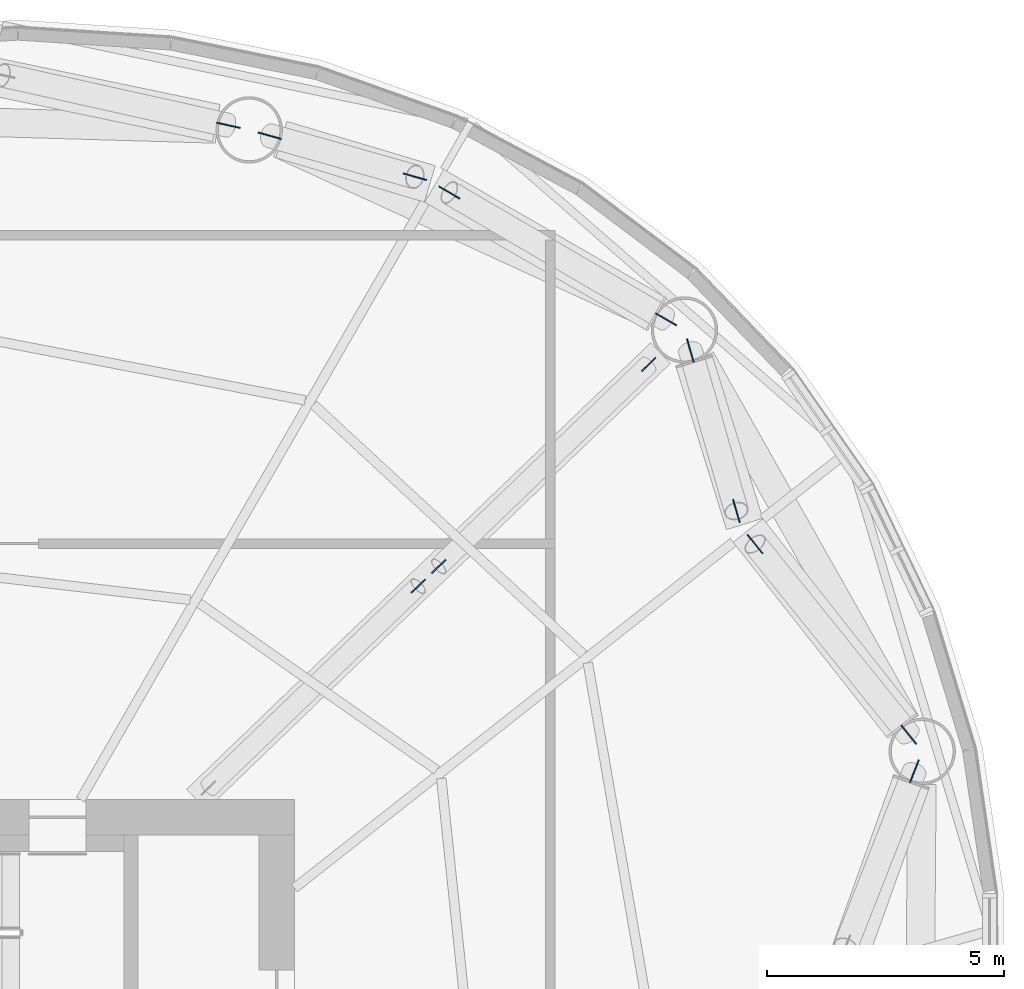
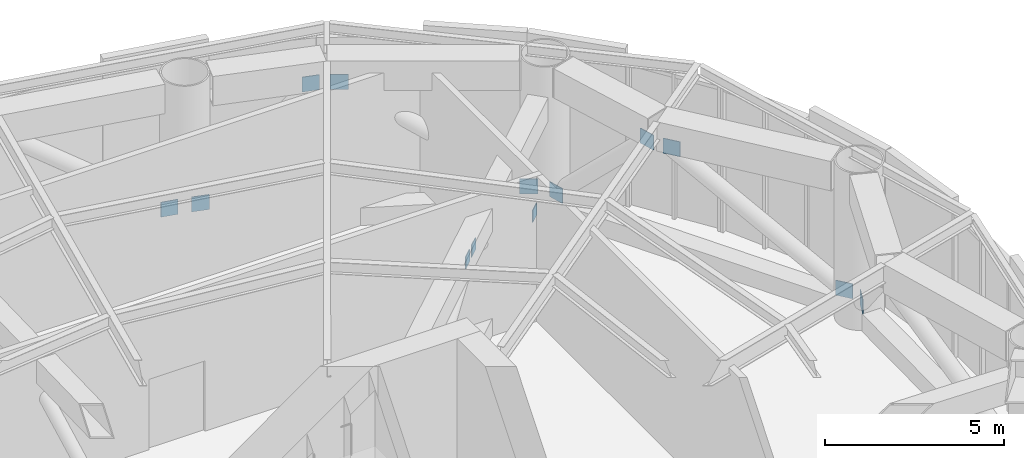
# One storey, part 15 of 19: 13 discrete accessories.
"""IFC4 building model written with IfcOpenShell, lengths in metres."""

from ifc_helpers import new_model, si_unit, direction, frame, origin, origin_2d, place, context, subcontext, project, spatial, rectangle, extrude, element, save


model = new_model("IFC4")

# Units and contexts
model_context = context("Model", 3, precision=1e-05, world=origin(), true_north=direction((0.0, 1.0)))
body_context = subcontext(model_context, "Body", "Model", "MODEL_VIEW")
ifc_project = project(units=[si_unit("LENGTHUNIT", "METRE"), si_unit("AREAUNIT", "SQUARE_METRE"), si_unit("VOLUMEUNIT", "CUBIC_METRE"), si_unit("PLANEANGLEUNIT", "RADIAN"), si_unit("MASSUNIT", "GRAM", prefix="KILO")], contexts=[model_context])

# Site, building, storey
site_placement = place(None, origin())
site = spatial("IfcSite", under=ifc_project, at=site_placement, CompositionType="ELEMENT")
building_placement = place(site_placement, origin())
building = spatial("IfcBuilding", under=site, at=building_placement, Name="Vermilion Reach Broadcast Tower", CompositionType="ELEMENT")
storey_placement = place(building_placement, frame((0.0, 0.0, 190.199951171875)))
storey = spatial("IfcBuildingStorey", under=building, at=storey_placement, Name="L46", CompositionType="ELEMENT", Elevation=190.199951171875)

# Discrete accessories
for number, where, z_axis, x_axis, name in (
    (1, (12.637451171875, 18.52978515625, 0.5458984375), (0.0, 0.0, 1.0), (-0.504849257901, -0.86320752244, 0.0), "Gusset plate BT3-D01A foot"),
    (2, (8.06689453125, 21.202880859375, 4.0859375), (0.0, 0.0, 1.0), (-0.504849257901, -0.86320752244, 0.0), "Gusset plate BT3-D01A head"),
    (3, (4.2783203125, 22.40185546875, 0.5458984375), (0.0, 0.0, 1.0), (0.271773120049, 0.962361351686, 0.0), "Gusset plate BT3-D01B foot"),
    (4, (7.340087890625, 21.537109375, 4.0859375), (0.0, 0.0, 1.0), (0.271773120049, 0.962361351686, 0.0), "Gusset plate BT3-D01B head"),
    (5, (3.406005859375, 22.621826171875, 0.5458984375), (0.0, 0.0, 1.0), (-0.217054528288, -0.976159480695, 0.0), "Gusset plate BT3-D02A foot"),
    (6, (17.876220703125, 8.99755859375, 0.5458984375), (0.0, 0.0, 1.0), (0.930994277997, -0.365033771501, 0.0), "Gusset plate BT3-D15B foot"),
    (7, (17.758056640625, 9.766845703125, 0.5458984375), (0.0, 0.0, 1.0), (-0.778441820178, -0.627716761444, 0.0), "Gusset plate BT3-D16A foot"),
    (8, (14.5146484375, 13.788818359375, 4.0859375), (0.0, 0.0, 1.0), (-0.778441820178, -0.627716761444, 0.0), "Gusset plate BT3-D16A head"),
    (9, (13.150146484375, 17.8701171875, 0.5458984375), (0.0, 0.0, 1.0), (0.961187067676, 0.275897482648, 0.0), "Gusset plate BT3-D16B foot"),
    (10, (14.12158203125, 14.485595703125, 4.0859375), (0.0, 0.0, 1.0), (0.961187067676, 0.275897482648, 0.0), "Gusset plate BT3-D16B head"),
):
    element("IfcDiscreteAccessory", number, at=place(storey_placement, frame(where, z_axis=z_axis, x_axis=x_axis)), inside=storey, Name=name, PredefinedType="NOTDEFINED", context=body_context, shape_type="SweptSolid", body=[
        extrude(rectangle(XDim=0.02490234375, YDim=0.508056640625, at=origin_2d()), origin(), (0.0, 0.0, 1.0), 0.508056640625),
    ])
for number, where, z_axis, x_axis, name in (
    (11, (7.410400390625, 12.900634765625, 3.34716796875), (0.0, 0.0, 1.0), (-0.693276060614, 0.720672119468, 0.0), "Gusset plate OR3-01-DA head"),
    (12, (12.269287109375, 17.57470703125, 0.39697265625), (0.0, 0.0, 1.0), (-0.693276060614, 0.720672119468, 0.0), "Gusset plate OR3-01-DB foot"),
    (13, (7.8427734375, 13.316650390625, 3.34716796875), (0.0, 0.0, 1.0), (-0.693276060614, 0.720672119468, 0.0), "Gusset plate OR3-01-DB head"),
):
    element("IfcDiscreteAccessory", number, at=place(storey_placement, frame(where, z_axis=z_axis, x_axis=x_axis)), inside=storey, Name=name, PredefinedType="NOTDEFINED", context=body_context, shape_type="SweptSolid", body=[
        extrude(rectangle(XDim=0.02490234375, YDim=0.406005859375, at=origin_2d()), origin(), (0.0, 0.0, 1.0), 0.406005859375),
    ])

save(model, "model.ifc")
